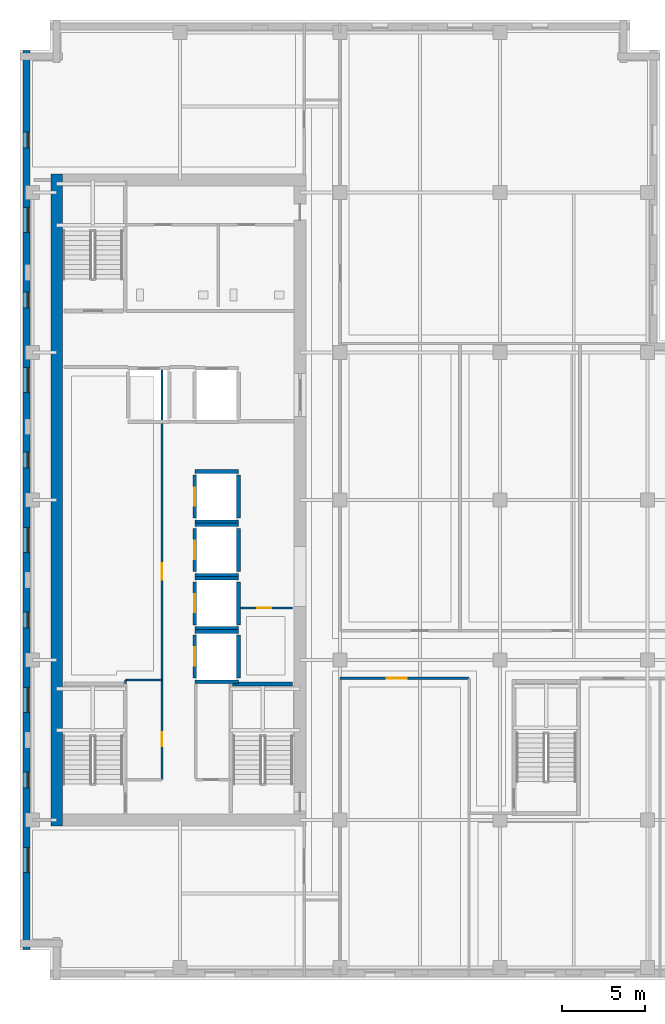
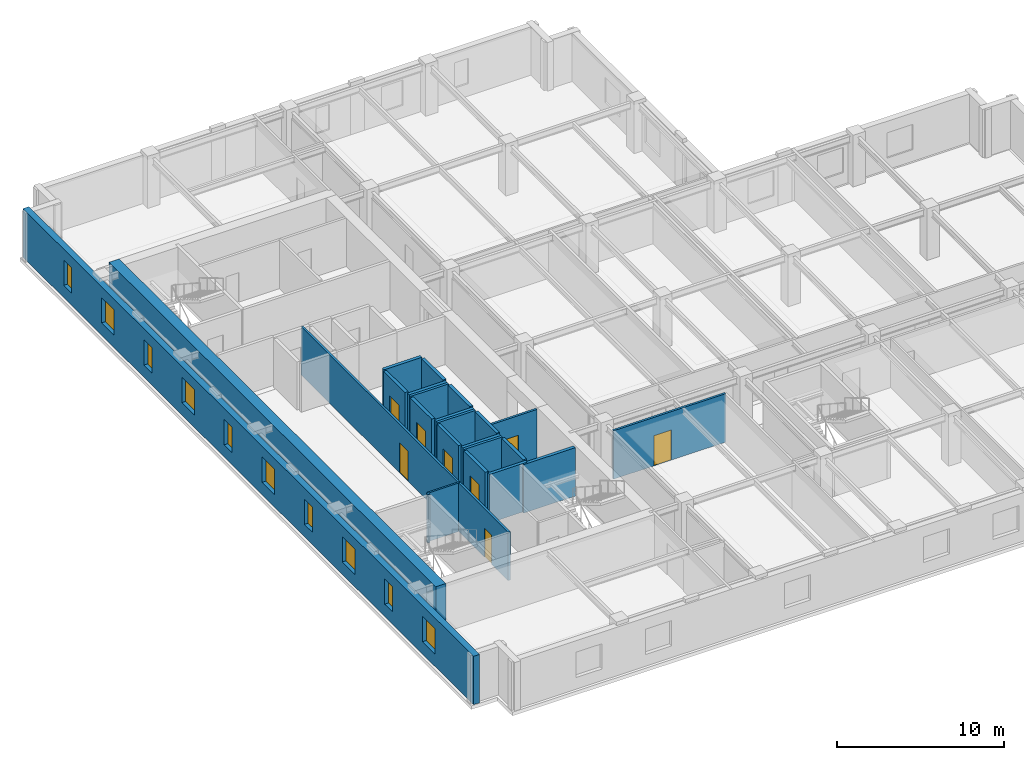
# One storey, part 4 of 11: 24 walls, 10 windows, 8 doors, 18 openings.
"""IFC4 building model written with IfcOpenShell, lengths in metres."""

from ifc_helpers import new_model, si_unit, direction, frame, frame_2d, origin, place, context, subcontext, project, spatial, rectangle, extrude, material, layer, layer_set, type_object, element, fill, save


model = new_model("IFC4")

# Units and contexts
model_context = context("Model", 3, precision=1e-05, world=origin(), true_north=direction((0.0, 1.0)))
body_context = subcontext(model_context, "Body", "Model", "MODEL_VIEW")
ifc_project = project(units=[si_unit("LENGTHUNIT", "METRE"), si_unit("AREAUNIT", "SQUARE_METRE"), si_unit("VOLUMEUNIT", "CUBIC_METRE"), si_unit("PLANEANGLEUNIT", "RADIAN"), si_unit("MASSUNIT", "GRAM", prefix="KILO")], contexts=[model_context])

# Site, building, storey
site_placement = place(None, origin())
site = spatial("IfcSite", under=ifc_project, at=site_placement, CompositionType="ELEMENT")
building_placement = place(site_placement, origin())
building = spatial("IfcBuilding", under=site, at=building_placement, Name="Norrvale University Quadrangle", CompositionType="ELEMENT")
storey_placement = place(building_placement, frame((0.0, 0.0, 202.800048828125)))
storey = spatial("IfcBuildingStorey", under=building, at=storey_placement, Name="L51", CompositionType="ELEMENT", Elevation=202.800048828125)

# Wall, openings, windows
ifc_material_1 = material(Name="Buff Norman Clay Brick Masonry", Category="masonry")
ifc_layer_1 = layer(ifc_material_1, 0.419921875, Name="Buff Norman Clay Brick Masonry")
ifc_layer_set_1 = layer_set([ifc_layer_1], Name="Buff Norman Clay Brick Masonry")
wall_type_1 = type_object("IfcWallType", Name="Wall Buff Brick 420", PredefinedType="SOLIDWALL", material=ifc_layer_set_1)
wall_1_placement = place(storey_placement, frame((0.389892578125, 55.760009765625, 0.0), z_axis=(0.0, 0.0, 1.0), x_axis=(0.0, -1.0, 0.0)))
wall_1 = element("IfcWall", 1, at=wall_1_placement, inside=storey, type_object=wall_type_1, Name="Exterior Brick Facade Wall L51-14.1", PredefinedType="SOLIDWALL", context=body_context, shape_type="SweptSolid", body=[
    extrude(rectangle(XDim=53.919921875, YDim=0.419921875, at=frame_2d((26.9599609375, 0.0))), origin(), (0.0, 0.0, 1.0), 3.5400390625),
])
opening_1_placement = place(wall_1_placement, frame((4.885009765625, 0.0, 0.89990234375)))
opening_1 = element("IfcOpeningElement", 2, at=opening_1_placement, cuts=wall_1, Name="Opening W04", PredefinedType="OPENING", context=body_context, shape_type="SweptSolid", body=[
    extrude(rectangle(XDim=0.949951171875, YDim=1.85009765625, at=frame_2d((0.47509765625, 0.925048828125))), frame((0.0, 0.221923828125, 0.0), z_axis=(0.0, -1.0, 0.0), x_axis=(1.0, 0.0, 0.0)), (0.0, 0.0, 1.0), 0.44384765625),
])
opening_2_placement = place(wall_1_placement, frame((9.409912109375, 0.0, 0.89990234375)))
opening_2 = element("IfcOpeningElement", 3, at=opening_2_placement, cuts=wall_1, Name="Opening W03", PredefinedType="OPENING", context=body_context, shape_type="SweptSolid", body=[
    extrude(rectangle(XDim=1.5, YDim=1.85009765625, at=frame_2d((0.75, 0.925048828125))), frame((0.0, 0.221923828125, 0.0), z_axis=(0.0, -1.0, 0.0), x_axis=(1.0, 0.0, 0.0)), (0.0, 0.0, 1.0), 0.44384765625),
])
opening_3_placement = place(wall_1_placement, frame((14.485107421875, 0.0, 0.89990234375)))
opening_3 = element("IfcOpeningElement", 4, at=opening_3_placement, cuts=wall_1, Name="Opening W04", PredefinedType="OPENING", context=body_context, shape_type="SweptSolid", body=[
    extrude(rectangle(XDim=0.949951171875, YDim=1.85009765625, at=frame_2d((0.47509765625, 0.925048828125))), frame((0.0, 0.221923828125, 0.0), z_axis=(0.0, -1.0, 0.0), x_axis=(1.0, 0.0, 0.0)), (0.0, 0.0, 1.0), 0.44384765625),
])
opening_4_placement = place(wall_1_placement, frame((19.010009765625, 0.0, 0.89990234375)))
opening_4 = element("IfcOpeningElement", 5, at=opening_4_placement, cuts=wall_1, Name="Opening W03", PredefinedType="OPENING", context=body_context, shape_type="SweptSolid", body=[
    extrude(rectangle(XDim=1.5, YDim=1.85009765625, at=frame_2d((0.75, 0.925048828125))), frame((0.0, 0.221923828125, 0.0), z_axis=(0.0, -1.0, 0.0), x_axis=(1.0, 0.0, 0.0)), (0.0, 0.0, 1.0), 0.44384765625),
])
opening_5_placement = place(wall_1_placement, frame((24.0849609375, 0.0, 0.89990234375)))
opening_5 = element("IfcOpeningElement", 6, at=opening_5_placement, cuts=wall_1, Name="Opening W04", PredefinedType="OPENING", context=body_context, shape_type="SweptSolid", body=[
    extrude(rectangle(XDim=0.949951171875, YDim=1.85009765625, at=frame_2d((0.47509765625, 0.925048828125))), frame((0.0, 0.221923828125, 0.0), z_axis=(0.0, -1.0, 0.0), x_axis=(1.0, 0.0, 0.0)), (0.0, 0.0, 1.0), 0.44384765625),
])
opening_6_placement = place(wall_1_placement, frame((28.610107421875, 0.0, 0.89990234375)))
opening_6 = element("IfcOpeningElement", 7, at=opening_6_placement, cuts=wall_1, Name="Opening W03", PredefinedType="OPENING", context=body_context, shape_type="SweptSolid", body=[
    extrude(rectangle(XDim=1.5, YDim=1.85009765625, at=frame_2d((0.75, 0.925048828125))), frame((0.0, 0.221923828125, 0.0), z_axis=(0.0, -1.0, 0.0), x_axis=(1.0, 0.0, 0.0)), (0.0, 0.0, 1.0), 0.44384765625),
])
opening_7_placement = place(wall_1_placement, frame((33.68505859375, 0.0, 0.89990234375)))
opening_7 = element("IfcOpeningElement", 8, at=opening_7_placement, cuts=wall_1, Name="Opening W04", PredefinedType="OPENING", context=body_context, shape_type="SweptSolid", body=[
    extrude(rectangle(XDim=0.949951171875, YDim=1.85009765625, at=frame_2d((0.47509765625, 0.925048828125))), frame((0.0, 0.221923828125, 0.0), z_axis=(0.0, -1.0, 0.0), x_axis=(1.0, 0.0, 0.0)), (0.0, 0.0, 1.0), 0.44384765625),
])
opening_8_placement = place(wall_1_placement, frame((38.2099609375, 0.0, 0.89990234375)))
opening_8 = element("IfcOpeningElement", 9, at=opening_8_placement, cuts=wall_1, Name="Opening W03", PredefinedType="OPENING", context=body_context, shape_type="SweptSolid", body=[
    extrude(rectangle(XDim=1.5, YDim=1.85009765625, at=frame_2d((0.75, 0.925048828125))), frame((0.0, 0.221923828125, 0.0), z_axis=(0.0, -1.0, 0.0), x_axis=(1.0, 0.0, 0.0)), (0.0, 0.0, 1.0), 0.44384765625),
])
opening_9_placement = place(wall_1_placement, frame((43.284912109375, 0.0, 0.89990234375)))
opening_9 = element("IfcOpeningElement", 10, at=opening_9_placement, cuts=wall_1, Name="Opening W04", PredefinedType="OPENING", context=body_context, shape_type="SweptSolid", body=[
    extrude(rectangle(XDim=0.949951171875, YDim=1.85009765625, at=frame_2d((0.47509765625, 0.925048828125))), frame((0.0, 0.221923828125, 0.0), z_axis=(0.0, -1.0, 0.0), x_axis=(1.0, 0.0, 0.0)), (0.0, 0.0, 1.0), 0.44384765625),
])
opening_10_placement = place(wall_1_placement, frame((47.81005859375, 0.0, 0.89990234375)))
opening_10 = element("IfcOpeningElement", 11, at=opening_10_placement, cuts=wall_1, Name="Opening W03", PredefinedType="OPENING", context=body_context, shape_type="SweptSolid", body=[
    extrude(rectangle(XDim=1.5, YDim=1.85009765625, at=frame_2d((0.75, 0.925048828125))), frame((0.0, 0.221923828125, 0.0), z_axis=(0.0, -1.0, 0.0), x_axis=(1.0, 0.0, 0.0)), (0.0, 0.0, 1.0), 0.44384765625),
])
ifc_material_2 = material(Name="Triple Low-E Argon Glazing", Category="glass")
window_type_1 = type_object("IfcWindowType", Name="Window Narrow Pier 950x2300", PartitioningType="SINGLE_PANEL", PredefinedType="WINDOW", material=ifc_material_2)
window_1_placement = place(opening_1_placement, origin())
window_1 = element("IfcWindow", 12, at=window_1_placement, inside=storey, type_object=window_type_1, Name="Window Narrow Pier 950x2300 WIN-L51-E14-1-01", OverallHeight=1.85009765625, OverallWidth=0.949951171875, PartitioningType="SINGLE_PANEL", PredefinedType="WINDOW", context=body_context, shape_type="SweptSolid", body=[
    extrude(rectangle(XDim=0.949951171875, YDim=1.85009765625, at=frame_2d((0.47509765625, 0.925048828125))), frame((0.0, 0.110107421875, 0.0), z_axis=(0.0, -1.0, 0.0), x_axis=(1.0, 0.0, 0.0)), (0.0, 0.0, 1.0), 0.06005859375),
])
fill(opening_1, window_1)
window_2_placement = place(opening_3_placement, origin())
window_2 = element("IfcWindow", 13, at=window_2_placement, inside=storey, type_object=window_type_1, Name="Window Narrow Pier 950x2300 WIN-L51-E14-1-03", OverallHeight=1.85009765625, OverallWidth=0.949951171875, PartitioningType="SINGLE_PANEL", PredefinedType="WINDOW", context=body_context, shape_type="SweptSolid", body=[
    extrude(rectangle(XDim=0.949951171875, YDim=1.85009765625, at=frame_2d((0.47509765625, 0.925048828125))), frame((0.0, 0.110107421875, 0.0), z_axis=(0.0, -1.0, 0.0), x_axis=(1.0, 0.0, 0.0)), (0.0, 0.0, 1.0), 0.06005859375),
])
fill(opening_3, window_2)
window_3_placement = place(opening_5_placement, origin())
window_3 = element("IfcWindow", 14, at=window_3_placement, inside=storey, type_object=window_type_1, Name="Window Narrow Pier 950x2300 WIN-L51-E14-1-05", OverallHeight=1.85009765625, OverallWidth=0.949951171875, PartitioningType="SINGLE_PANEL", PredefinedType="WINDOW", context=body_context, shape_type="SweptSolid", body=[
    extrude(rectangle(XDim=0.949951171875, YDim=1.85009765625, at=frame_2d((0.47509765625, 0.925048828125))), frame((0.0, 0.110107421875, 0.0), z_axis=(0.0, -1.0, 0.0), x_axis=(1.0, 0.0, 0.0)), (0.0, 0.0, 1.0), 0.06005859375),
])
fill(opening_5, window_3)
window_4_placement = place(opening_7_placement, origin())
window_4 = element("IfcWindow", 15, at=window_4_placement, inside=storey, type_object=window_type_1, Name="Window Narrow Pier 950x2300 WIN-L51-E14-1-07", OverallHeight=1.85009765625, OverallWidth=0.949951171875, PartitioningType="SINGLE_PANEL", PredefinedType="WINDOW", context=body_context, shape_type="SweptSolid", body=[
    extrude(rectangle(XDim=0.949951171875, YDim=1.85009765625, at=frame_2d((0.47509765625, 0.925048828125))), frame((0.0, 0.110107421875, 0.0), z_axis=(0.0, -1.0, 0.0), x_axis=(1.0, 0.0, 0.0)), (0.0, 0.0, 1.0), 0.06005859375),
])
fill(opening_7, window_4)
window_5_placement = place(opening_9_placement, origin())
window_5 = element("IfcWindow", 16, at=window_5_placement, inside=storey, type_object=window_type_1, Name="Window Narrow Pier 950x2300 WIN-L51-E14-1-09", OverallHeight=1.85009765625, OverallWidth=0.949951171875, PartitioningType="SINGLE_PANEL", PredefinedType="WINDOW", context=body_context, shape_type="SweptSolid", body=[
    extrude(rectangle(XDim=0.949951171875, YDim=1.85009765625, at=frame_2d((0.47509765625, 0.925048828125))), frame((0.0, 0.110107421875, 0.0), z_axis=(0.0, -1.0, 0.0), x_axis=(1.0, 0.0, 0.0)), (0.0, 0.0, 1.0), 0.06005859375),
])
fill(opening_9, window_5)
window_type_2 = type_object("IfcWindowType", Name="Window Studio 1500x2300", PartitioningType="DOUBLE_PANEL_VERTICAL", PredefinedType="WINDOW", material=ifc_material_2)
window_6_placement = place(opening_2_placement, origin())
window_6 = element("IfcWindow", 17, at=window_6_placement, inside=storey, type_object=window_type_2, Name="Window Studio 1500x2300 WIN-L51-E14-1-02", OverallHeight=1.85009765625, OverallWidth=1.5, PartitioningType="DOUBLE_PANEL_VERTICAL", PredefinedType="WINDOW", context=body_context, shape_type="SweptSolid", body=[
    extrude(rectangle(XDim=1.5, YDim=1.85009765625, at=frame_2d((0.75, 0.925048828125))), frame((0.0, 0.110107421875, 0.0), z_axis=(0.0, -1.0, 0.0), x_axis=(1.0, 0.0, 0.0)), (0.0, 0.0, 1.0), 0.06005859375),
])
fill(opening_2, window_6)
window_7_placement = place(opening_4_placement, origin())
window_7 = element("IfcWindow", 18, at=window_7_placement, inside=storey, type_object=window_type_2, Name="Window Studio 1500x2300 WIN-L51-E14-1-04", OverallHeight=1.85009765625, OverallWidth=1.5, PartitioningType="DOUBLE_PANEL_VERTICAL", PredefinedType="WINDOW", context=body_context, shape_type="SweptSolid", body=[
    extrude(rectangle(XDim=1.5, YDim=1.85009765625, at=frame_2d((0.75, 0.925048828125))), frame((0.0, 0.110107421875, 0.0), z_axis=(0.0, -1.0, 0.0), x_axis=(1.0, 0.0, 0.0)), (0.0, 0.0, 1.0), 0.06005859375),
])
fill(opening_4, window_7)
window_8_placement = place(opening_6_placement, origin())
window_8 = element("IfcWindow", 19, at=window_8_placement, inside=storey, type_object=window_type_2, Name="Window Studio 1500x2300 WIN-L51-E14-1-06", OverallHeight=1.85009765625, OverallWidth=1.5, PartitioningType="DOUBLE_PANEL_VERTICAL", PredefinedType="WINDOW", context=body_context, shape_type="SweptSolid", body=[
    extrude(rectangle(XDim=1.5, YDim=1.85009765625, at=frame_2d((0.75, 0.925048828125))), frame((0.0, 0.110107421875, 0.0), z_axis=(0.0, -1.0, 0.0), x_axis=(1.0, 0.0, 0.0)), (0.0, 0.0, 1.0), 0.06005859375),
])
fill(opening_6, window_8)
window_9_placement = place(opening_8_placement, origin())
window_9 = element("IfcWindow", 20, at=window_9_placement, inside=storey, type_object=window_type_2, Name="Window Studio 1500x2300 WIN-L51-E14-1-08", OverallHeight=1.85009765625, OverallWidth=1.5, PartitioningType="DOUBLE_PANEL_VERTICAL", PredefinedType="WINDOW", context=body_context, shape_type="SweptSolid", body=[
    extrude(rectangle(XDim=1.5, YDim=1.85009765625, at=frame_2d((0.75, 0.925048828125))), frame((0.0, 0.110107421875, 0.0), z_axis=(0.0, -1.0, 0.0), x_axis=(1.0, 0.0, 0.0)), (0.0, 0.0, 1.0), 0.06005859375),
])
fill(opening_8, window_9)
window_10_placement = place(opening_10_placement, origin())
window_10 = element("IfcWindow", 21, at=window_10_placement, inside=storey, type_object=window_type_2, Name="Window Studio 1500x2300 WIN-L51-E14-1-10", OverallHeight=1.85009765625, OverallWidth=1.5, PartitioningType="DOUBLE_PANEL_VERTICAL", PredefinedType="WINDOW", context=body_context, shape_type="SweptSolid", body=[
    extrude(rectangle(XDim=1.5, YDim=1.85009765625, at=frame_2d((0.75, 0.925048828125))), frame((0.0, 0.110107421875, 0.0), z_axis=(0.0, -1.0, 0.0), x_axis=(1.0, 0.0, 0.0)), (0.0, 0.0, 1.0), 0.06005859375),
])
fill(opening_10, window_10)

# Walls
ifc_material_3 = material(Name="Concrete C60/75", Category="concrete")
ifc_layer_2 = layer(ifc_material_3, 0.699951171875, Name="Concrete C60/75")
ifc_layer_set_2 = layer_set([ifc_layer_2], Name="Concrete C60/75")
wall_type_2 = type_object("IfcWallType", Name="Wall Core 700", PredefinedType="SHEAR", material=ifc_layer_set_2)
wall_2_placement = place(storey_placement, frame((2.199951171875, 9.25, 0.0), z_axis=(0.0, 0.0, 1.0), x_axis=(0.0, 1.0, 0.0)))
element("IfcWall", 22, at=wall_2_placement, inside=storey, type_object=wall_type_2, Name="Tower Core Shear Wall L51-W", PredefinedType="SHEAR", context=body_context, shape_type="SweptSolid", body=[
    extrude(rectangle(XDim=39.10009765625, YDim=0.699951171875, at=frame_2d((19.550048828125, 0.0))), origin(), (0.0, 0.0, 1.0), 3.5400390625),
])
ifc_material_4 = material(Name="Standard Academic Gypsum Partition")
ifc_layer_3 = layer(ifc_material_4, 0.125, Name="Standard Academic Gypsum Partition")
ifc_layer_set_3 = layer_set([ifc_layer_3], Name="Standard Academic Gypsum Partition")
wall_type_3 = type_object("IfcWallType", Name="Wall Gypsum Academic 125", PredefinedType="PARTITIONING", material=ifc_layer_set_3)
wall_3_placement = place(storey_placement, frame((6.320068359375, 17.800048828125, 0.0), z_axis=(0.0, 0.0, 1.0), x_axis=(0.0, 1.0, 0.0)))
element("IfcWall", 23, at=wall_3_placement, inside=storey, type_object=wall_type_3, Name="Interior Partition WL-L51-REC-L1", PredefinedType="PARTITIONING", context=body_context, shape_type="SweptSolid", body=[
    extrude(rectangle(XDim=0.199951171875, YDim=0.125, at=frame_2d((0.10009765625, 0.0))), origin(), (0.0, 0.0, 1.0), 3.5400390625),
])
wall_4_placement = place(storey_placement, frame((6.320068359375, 18.0, 0.0), z_axis=(0.0, 0.0, 1.0), x_axis=(1.0, 0.0, 0.0)))
element("IfcWall", 24, at=wall_4_placement, inside=storey, type_object=wall_type_3, Name="Interior Partition WL-L51-REC-L2", PredefinedType="PARTITIONING", context=body_context, shape_type="SweptSolid", body=[
    extrude(rectangle(XDim=2.199951171875, YDim=0.125, at=frame_2d((1.10009765625, 0.0))), origin(), (0.0, 0.0, 1.0), 3.5400390625),
])

# Wall, opening, door
ifc_material_5 = material(Name="Fire-Rated Gypsum Stud Partition")
ifc_layer_4 = layer(ifc_material_5, 0.14990234375, Name="Fire-Rated Gypsum Stud Partition")
ifc_layer_set_4 = layer_set([ifc_layer_4], Name="Fire-Rated Gypsum Stud Partition")
wall_type_4 = type_object("IfcWallType", Name="Wall Gypsum Corridor 150", PredefinedType="PARTITIONING", material=ifc_layer_set_4)
wall_5_placement = place(storey_placement, frame((13.22509765625, 22.320068359375, 0.0), z_axis=(0.0, 0.0, 1.0), x_axis=(1.0, 0.0, 0.0)))
wall_5 = element("IfcWall", 25, at=wall_5_placement, inside=storey, type_object=wall_type_4, Name="Interior Partition WL-L51-JAN-N", PredefinedType="PARTITIONING", context=body_context, shape_type="SweptSolid", body=[
    extrude(rectangle(XDim=3.119873046875, YDim=0.14990234375, at=frame_2d((1.56005859375, 0.0))), origin(), (0.0, 0.0, 1.0), 3.5400390625),
])
opening_11_placement = place(wall_5_placement, frame((1.0, 0.0, 0.0)))
opening_11 = element("IfcOpeningElement", 26, at=opening_11_placement, cuts=wall_5, Name="Opening D10", PredefinedType="OPENING", context=body_context, shape_type="SweptSolid", body=[
    extrude(rectangle(XDim=0.85009765625, YDim=2.10009765625, at=frame_2d((0.425048828125, 1.050048828125))), frame((0.0, 0.0869140625, 0.0), z_axis=(0.0, -1.0, 0.0), x_axis=(1.0, 0.0, 0.0)), (0.0, 0.0, 1.0), 0.173828125),
])
ifc_material_6 = material(Name="Hollow Steel 350W Riser Fire Door", Category="steel")
door_type_1 = type_object("IfcDoorType", Name="Door Riser 850x2100", OperationType="NOTDEFINED", PredefinedType="DOOR", material=ifc_material_6)
door_1_placement = place(opening_11_placement, origin())
door_1 = element("IfcDoor", 27, at=door_1_placement, inside=storey, type_object=door_type_1, Name="Door Riser 850x2100 DR-L51-JAN", OperationType="SINGLE_SWING_LEFT", OverallHeight=2.10009765625, OverallWidth=0.85009765625, PredefinedType="DOOR", context=body_context, shape_type="SweptSolid", body=[
    extrude(rectangle(XDim=0.85009765625, YDim=2.10009765625, at=frame_2d((0.425048828125, 1.050048828125))), frame((0.0, 0.02490234375, 0.0), z_axis=(0.0, -1.0, 0.0), x_axis=(1.0, 0.0, 0.0)), (0.0, 0.0, 1.0), 0.050048828125),
])
fill(opening_11, door_1)

# Wall, openings, doors
wall_6_placement = place(storey_placement, frame((8.52001953125, 12.02001953125, 0.0), z_axis=(0.0, 0.0, 1.0), x_axis=(0.0, 1.0, 0.0)))
wall_6 = element("IfcWall", 28, at=wall_6_placement, inside=storey, type_object=wall_type_4, Name="Interior Partition WL-L51-REC-E", PredefinedType="PARTITIONING", context=body_context, shape_type="SweptSolid", body=[
    extrude(rectangle(XDim=24.760009765625, YDim=0.14990234375, at=frame_2d((12.3798828125, 0.0))), origin(), (0.0, 0.0, 1.0), 3.5400390625),
])
opening_12_placement = place(wall_6_placement, frame((2.0, 0.0, 0.0)))
opening_12 = element("IfcOpeningElement", 29, at=opening_12_placement, cuts=wall_6, Name="Opening D10", PredefinedType="OPENING", context=body_context, shape_type="SweptSolid", body=[
    extrude(rectangle(XDim=0.85009765625, YDim=2.10009765625, at=frame_2d((0.425048828125, 1.050048828125))), frame((0.0, 0.0869140625, 0.0), z_axis=(0.0, -1.0, 0.0), x_axis=(1.0, 0.0, 0.0)), (0.0, 0.0, 1.0), 0.173828125),
])
opening_13_placement = place(wall_6_placement, frame((12.0, 0.0, 0.0)))
opening_13 = element("IfcOpeningElement", 30, at=opening_13_placement, cuts=wall_6, Name="Opening D04", PredefinedType="OPENING", context=body_context, shape_type="SweptSolid", body=[
    extrude(rectangle(XDim=1.0, YDim=2.199951171875, at=frame_2d((0.5, 1.10009765625))), frame((0.0, 0.0869140625, 0.0), z_axis=(0.0, -1.0, 0.0), x_axis=(1.0, 0.0, 0.0)), (0.0, 0.0, 1.0), 0.173828125),
])
ifc_material_7 = material(Name="Solid-Core Oak Fire Door", Category="wood")
door_type_2 = type_object("IfcDoorType", Name="Door Corridor 1000x2200", OperationType="NOTDEFINED", PredefinedType="DOOR", material=ifc_material_7)
door_2_placement = place(opening_13_placement, origin())
door_2 = element("IfcDoor", 31, at=door_2_placement, inside=storey, type_object=door_type_2, Name="Door Corridor 1000x2200 DR-L51-REC2", OperationType="SINGLE_SWING_RIGHT", OverallHeight=2.199951171875, OverallWidth=1.0, PredefinedType="DOOR", context=body_context, shape_type="SweptSolid", body=[
    extrude(rectangle(XDim=1.0, YDim=2.199951171875, at=frame_2d((0.5, 1.10009765625))), frame((0.0, 0.02490234375, 0.0), z_axis=(0.0, -1.0, 0.0), x_axis=(1.0, 0.0, 0.0)), (0.0, 0.0, 1.0), 0.050048828125),
])
fill(opening_13, door_2)
door_3_placement = place(opening_12_placement, origin())
door_3 = element("IfcDoor", 32, at=door_3_placement, inside=storey, type_object=door_type_1, Name="Door Riser 850x2100 DR-L51-REC1", OperationType="SINGLE_SWING_LEFT", OverallHeight=2.10009765625, OverallWidth=0.85009765625, PredefinedType="DOOR", context=body_context, shape_type="SweptSolid", body=[
    extrude(rectangle(XDim=0.85009765625, YDim=2.10009765625, at=frame_2d((0.425048828125, 1.050048828125))), frame((0.0, 0.02490234375, 0.0), z_axis=(0.0, -1.0, 0.0), x_axis=(1.0, 0.0, 0.0)), (0.0, 0.0, 1.0), 0.050048828125),
])
fill(opening_12, door_3)

# Wall, opening, door
wall_7_placement = place(storey_placement, frame((19.199951171875, 18.10009765625, 0.0), z_axis=(0.0, 0.0, 1.0), x_axis=(1.0, 0.0, 0.0)))
wall_7 = element("IfcWall", 33, at=wall_7_placement, inside=storey, type_object=wall_type_4, Name="Interior Partition WL-L51-SEW1", PredefinedType="PARTITIONING", context=body_context, shape_type="SweptSolid", body=[
    extrude(rectangle(XDim=7.75, YDim=0.14990234375, at=frame_2d((3.875, 0.0))), origin(), (0.0, 0.0, 1.0), 3.5400390625),
])
opening_14_placement = place(wall_7_placement, frame((2.800048828125, 0.0, 0.0)))
opening_14 = element("IfcOpeningElement", 34, at=opening_14_placement, cuts=wall_7, Name="Opening D05", PredefinedType="OPENING", context=body_context, shape_type="SweptSolid", body=[
    extrude(rectangle(XDim=1.199951171875, YDim=2.199951171875, at=frame_2d((0.60009765625, 1.10009765625))), frame((0.0, 0.0869140625, 0.0), z_axis=(0.0, -1.0, 0.0), x_axis=(1.0, 0.0, 0.0)), (0.0, 0.0, 1.0), 0.173828125),
])
ifc_material_8 = material(Name="Acoustic Oak Classroom Door", Category="wood")
door_type_3 = type_object("IfcDoorType", Name="Door Classroom 1200x2200", OperationType="NOTDEFINED", PredefinedType="DOOR", material=ifc_material_8)
door_4_placement = place(opening_14_placement, origin())
door_4 = element("IfcDoor", 35, at=door_4_placement, inside=storey, type_object=door_type_3, Name="Door Classroom 1200x2200 DR-L51-SE1", OperationType="SINGLE_SWING_LEFT", OverallHeight=2.199951171875, OverallWidth=1.199951171875, PredefinedType="DOOR", context=body_context, shape_type="SweptSolid", body=[
    extrude(rectangle(XDim=1.199951171875, YDim=2.199951171875, at=frame_2d((0.60009765625, 1.10009765625))), frame((0.0, 0.02490234375, 0.0), z_axis=(0.0, -1.0, 0.0), x_axis=(1.0, 0.0, 0.0)), (0.0, 0.0, 1.0), 0.050048828125),
])
fill(opening_14, door_4)

# Wall
ifc_material_9 = material(Name="Concrete Blockwork 20 MPa Fire Shaft", Category="masonry")
ifc_layer_5 = layer(ifc_material_9, 0.219970703125, Name="Concrete Blockwork 20 MPa Fire Shaft")
ifc_layer_set_5 = layer_set([ifc_layer_5], Name="Concrete Blockwork 20 MPa Fire Shaft")
wall_type_5 = type_object("IfcWallType", Name="Wall Shaft 220", PredefinedType="SOLIDWALL", material=ifc_layer_set_5)
wall_8_placement = place(storey_placement, frame((12.75, 17.760009765625, 0.0), z_axis=(0.0, 0.0, 1.0), x_axis=(1.0, 0.0, 0.0)))
element("IfcWall", 36, at=wall_8_placement, inside=storey, type_object=wall_type_5, Name="Stair ST-03 North Shaft Wall L51", PredefinedType="SOLIDWALL", context=body_context, shape_type="SweptSolid", body=[
    extrude(rectangle(XDim=3.60009765625, YDim=0.219970703125, at=frame_2d((1.800048828125, 0.0))), origin(), (0.0, 0.0, 1.0), 3.5400390625),
])

# Wall, opening, door
wall_9_placement = place(storey_placement, frame((10.489990234375, 18.110107421875, 0.0), z_axis=(0.0, 0.0, 1.0), x_axis=(0.0, 1.0, 0.0)))
wall_9 = element("IfcWall", 37, at=wall_9_placement, inside=storey, type_object=wall_type_5, Name="Hoistway PL-05 West Wall L51", PredefinedType="SOLIDWALL", context=body_context, shape_type="SweptSolid", body=[
    extrude(rectangle(XDim=2.579833984375, YDim=0.219970703125, at=frame_2d((1.2900390625, 0.0))), origin(), (0.0, 0.0, 1.0), 3.5400390625),
])
opening_15_placement = place(wall_9_placement, frame((0.739990234375, 0.0, 0.0)))
opening_15 = element("IfcOpeningElement", 38, at=opening_15_placement, cuts=wall_9, Name="Opening LD1", PredefinedType="OPENING", context=body_context, shape_type="SweptSolid", body=[
    extrude(rectangle(XDim=1.10009765625, YDim=2.199951171875, at=frame_2d((0.550048828125, 1.10009765625))), frame((0.0, 0.1220703125, 0.0), z_axis=(0.0, -1.0, 0.0), x_axis=(1.0, 0.0, 0.0)), (0.0, 0.0, 1.0), 0.243896484375),
])
ifc_material_10 = material(Name="Stainless Steel 316L Lift Landing Door", Category="steel")
door_type_4 = type_object("IfcDoorType", Name="Door Lift Landing 1100x2200", OperationType="DOUBLE_DOOR_SLIDING", PredefinedType="DOOR", material=ifc_material_10)
door_5_placement = place(opening_15_placement, origin())
door_5 = element("IfcDoor", 39, at=door_5_placement, inside=storey, type_object=door_type_4, Name="Elevator Landing Door DR-L51-PL-05", OperationType="DOUBLE_DOOR_SLIDING", OverallHeight=2.199951171875, OverallWidth=1.10009765625, PredefinedType="DOOR", context=body_context, shape_type="SweptSolid", body=[
    extrude(rectangle(XDim=1.10009765625, YDim=2.199951171875, at=frame_2d((0.550048828125, 1.10009765625))), frame((0.0, 0.02490234375, 0.0), z_axis=(0.0, -1.0, 0.0), x_axis=(1.0, 0.0, 0.0)), (0.0, 0.0, 1.0), 0.050048828125),
])
fill(opening_15, door_5)

# Walls
wall_10_placement = place(storey_placement, frame((13.110107421875, 18.110107421875, 0.0), z_axis=(0.0, 0.0, 1.0), x_axis=(0.0, 1.0, 0.0)))
element("IfcWall", 40, at=wall_10_placement, inside=storey, type_object=wall_type_5, Name="Hoistway PL-05 East Wall L51", PredefinedType="SOLIDWALL", context=body_context, shape_type="SweptSolid", body=[
    extrude(rectangle(XDim=2.579833984375, YDim=0.219970703125, at=frame_2d((1.2900390625, 0.0))), origin(), (0.0, 0.0, 1.0), 3.5400390625),
])
for number, where, z_axis, x_axis, name in (
    (41, (10.489990234375, 17.889892578125, 0.0), (0.0, 0.0, 1.0), (1.0, 0.0, 0.0), "Hoistway PL-05 South Wall L51"),
    (42, (10.489990234375, 20.909912109375, 0.0), (0.0, 0.0, 1.0), (1.0, 0.0, 0.0), "Hoistway PL-05 North Wall L51"),
):
    element("IfcWall", number, at=place(storey_placement, frame(where, z_axis=z_axis, x_axis=x_axis)), inside=storey, type_object=wall_type_5, Name=name, PredefinedType="SOLIDWALL", context=body_context, shape_type="SweptSolid", body=[
        extrude(rectangle(XDim=2.6201171875, YDim=0.219970703125, at=frame_2d((1.31005859375, 0.0))), origin(), (0.0, 0.0, 1.0), 3.5400390625),
    ])

# Wall, opening, door
wall_11_placement = place(storey_placement, frame((10.489990234375, 21.31005859375, 0.0), z_axis=(0.0, 0.0, 1.0), x_axis=(0.0, 1.0, 0.0)))
wall_11 = element("IfcWall", 43, at=wall_11_placement, inside=storey, type_object=wall_type_5, Name="Hoistway PL-06 West Wall L51", PredefinedType="SOLIDWALL", context=body_context, shape_type="SweptSolid", body=[
    extrude(rectangle(XDim=2.579833984375, YDim=0.219970703125, at=frame_2d((1.2900390625, 0.0))), origin(), (0.0, 0.0, 1.0), 3.5400390625),
])
opening_16_placement = place(wall_11_placement, frame((0.739990234375, 0.0, 0.0)))
opening_16 = element("IfcOpeningElement", 44, at=opening_16_placement, cuts=wall_11, Name="Opening LD1", PredefinedType="OPENING", context=body_context, shape_type="SweptSolid", body=[
    extrude(rectangle(XDim=1.10009765625, YDim=2.199951171875, at=frame_2d((0.550048828125, 1.10009765625))), frame((0.0, 0.1220703125, 0.0), z_axis=(0.0, -1.0, 0.0), x_axis=(1.0, 0.0, 0.0)), (0.0, 0.0, 1.0), 0.243896484375),
])
door_6_placement = place(opening_16_placement, origin())
door_6 = element("IfcDoor", 45, at=door_6_placement, inside=storey, type_object=door_type_4, Name="Elevator Landing Door DR-L51-PL-06", OperationType="DOUBLE_DOOR_SLIDING", OverallHeight=2.199951171875, OverallWidth=1.10009765625, PredefinedType="DOOR", context=body_context, shape_type="SweptSolid", body=[
    extrude(rectangle(XDim=1.10009765625, YDim=2.199951171875, at=frame_2d((0.550048828125, 1.10009765625))), frame((0.0, 0.02490234375, 0.0), z_axis=(0.0, -1.0, 0.0), x_axis=(1.0, 0.0, 0.0)), (0.0, 0.0, 1.0), 0.050048828125),
])
fill(opening_16, door_6)

# Walls
wall_12_placement = place(storey_placement, frame((13.110107421875, 21.31005859375, 0.0), z_axis=(0.0, 0.0, 1.0), x_axis=(0.0, 1.0, 0.0)))
element("IfcWall", 46, at=wall_12_placement, inside=storey, type_object=wall_type_5, Name="Hoistway PL-06 East Wall L51", PredefinedType="SOLIDWALL", context=body_context, shape_type="SweptSolid", body=[
    extrude(rectangle(XDim=2.579833984375, YDim=0.219970703125, at=frame_2d((1.2900390625, 0.0))), origin(), (0.0, 0.0, 1.0), 3.5400390625),
])
for number, where, z_axis, x_axis, name in (
    (47, (10.489990234375, 21.090087890625, 0.0), (0.0, 0.0, 1.0), (1.0, 0.0, 0.0), "Hoistway PL-06 South Wall L51"),
    (48, (10.489990234375, 24.110107421875, 0.0), (0.0, 0.0, 1.0), (1.0, 0.0, 0.0), "Hoistway PL-06 North Wall L51"),
):
    element("IfcWall", number, at=place(storey_placement, frame(where, z_axis=z_axis, x_axis=x_axis)), inside=storey, type_object=wall_type_5, Name=name, PredefinedType="SOLIDWALL", context=body_context, shape_type="SweptSolid", body=[
        extrude(rectangle(XDim=2.6201171875, YDim=0.219970703125, at=frame_2d((1.31005859375, 0.0))), origin(), (0.0, 0.0, 1.0), 3.5400390625),
    ])

# Wall, opening, door
wall_13_placement = place(storey_placement, frame((10.489990234375, 24.510009765625, 0.0), z_axis=(0.0, 0.0, 1.0), x_axis=(0.0, 1.0, 0.0)))
wall_13 = element("IfcWall", 49, at=wall_13_placement, inside=storey, type_object=wall_type_5, Name="Hoistway PL-07 West Wall L51", PredefinedType="SOLIDWALL", context=body_context, shape_type="SweptSolid", body=[
    extrude(rectangle(XDim=2.580078125, YDim=0.219970703125, at=frame_2d((1.2900390625, 0.0))), origin(), (0.0, 0.0, 1.0), 3.5400390625),
])
opening_17_placement = place(wall_13_placement, frame((0.739990234375, 0.0, 0.0)))
opening_17 = element("IfcOpeningElement", 50, at=opening_17_placement, cuts=wall_13, Name="Opening LD1", PredefinedType="OPENING", context=body_context, shape_type="SweptSolid", body=[
    extrude(rectangle(XDim=1.10009765625, YDim=2.199951171875, at=frame_2d((0.550048828125, 1.10009765625))), frame((0.0, 0.1220703125, 0.0), z_axis=(0.0, -1.0, 0.0), x_axis=(1.0, 0.0, 0.0)), (0.0, 0.0, 1.0), 0.243896484375),
])
door_7_placement = place(opening_17_placement, origin())
door_7 = element("IfcDoor", 51, at=door_7_placement, inside=storey, type_object=door_type_4, Name="Elevator Landing Door DR-L51-PL-07", OperationType="DOUBLE_DOOR_SLIDING", OverallHeight=2.199951171875, OverallWidth=1.10009765625, PredefinedType="DOOR", context=body_context, shape_type="SweptSolid", body=[
    extrude(rectangle(XDim=1.10009765625, YDim=2.199951171875, at=frame_2d((0.550048828125, 1.10009765625))), frame((0.0, 0.02490234375, 0.0), z_axis=(0.0, -1.0, 0.0), x_axis=(1.0, 0.0, 0.0)), (0.0, 0.0, 1.0), 0.050048828125),
])
fill(opening_17, door_7)

# Walls
wall_14_placement = place(storey_placement, frame((13.110107421875, 24.510009765625, 0.0), z_axis=(0.0, 0.0, 1.0), x_axis=(0.0, 1.0, 0.0)))
element("IfcWall", 52, at=wall_14_placement, inside=storey, type_object=wall_type_5, Name="Hoistway PL-07 East Wall L51", PredefinedType="SOLIDWALL", context=body_context, shape_type="SweptSolid", body=[
    extrude(rectangle(XDim=2.580078125, YDim=0.219970703125, at=frame_2d((1.2900390625, 0.0))), origin(), (0.0, 0.0, 1.0), 3.5400390625),
])
for number, where, z_axis, x_axis, name in (
    (53, (10.489990234375, 24.2900390625, 0.0), (0.0, 0.0, 1.0), (1.0, 0.0, 0.0), "Hoistway PL-07 South Wall L51"),
    (54, (10.489990234375, 27.31005859375, 0.0), (0.0, 0.0, 1.0), (1.0, 0.0, 0.0), "Hoistway PL-07 North Wall L51"),
):
    element("IfcWall", number, at=place(storey_placement, frame(where, z_axis=z_axis, x_axis=x_axis)), inside=storey, type_object=wall_type_5, Name=name, PredefinedType="SOLIDWALL", context=body_context, shape_type="SweptSolid", body=[
        extrude(rectangle(XDim=2.6201171875, YDim=0.219970703125, at=frame_2d((1.31005859375, 0.0))), origin(), (0.0, 0.0, 1.0), 3.5400390625),
    ])

# Wall, opening, door
wall_15_placement = place(storey_placement, frame((10.489990234375, 27.7099609375, 0.0), z_axis=(0.0, 0.0, 1.0), x_axis=(0.0, 1.0, 0.0)))
wall_15 = element("IfcWall", 55, at=wall_15_placement, inside=storey, type_object=wall_type_5, Name="Hoistway PL-08 West Wall L51", PredefinedType="SOLIDWALL", context=body_context, shape_type="SweptSolid", body=[
    extrude(rectangle(XDim=2.580078125, YDim=0.219970703125, at=frame_2d((1.2900390625, 0.0))), origin(), (0.0, 0.0, 1.0), 3.5400390625),
])
opening_18_placement = place(wall_15_placement, frame((0.739990234375, 0.0, 0.0)))
opening_18 = element("IfcOpeningElement", 56, at=opening_18_placement, cuts=wall_15, Name="Opening LD1", PredefinedType="OPENING", context=body_context, shape_type="SweptSolid", body=[
    extrude(rectangle(XDim=1.10009765625, YDim=2.199951171875, at=frame_2d((0.550048828125, 1.10009765625))), frame((0.0, 0.1220703125, 0.0), z_axis=(0.0, -1.0, 0.0), x_axis=(1.0, 0.0, 0.0)), (0.0, 0.0, 1.0), 0.243896484375),
])
door_8_placement = place(opening_18_placement, origin())
door_8 = element("IfcDoor", 57, at=door_8_placement, inside=storey, type_object=door_type_4, Name="Elevator Landing Door DR-L51-PL-08", OperationType="DOUBLE_DOOR_SLIDING", OverallHeight=2.199951171875, OverallWidth=1.10009765625, PredefinedType="DOOR", context=body_context, shape_type="SweptSolid", body=[
    extrude(rectangle(XDim=1.10009765625, YDim=2.199951171875, at=frame_2d((0.550048828125, 1.10009765625))), frame((0.0, 0.02490234375, 0.0), z_axis=(0.0, -1.0, 0.0), x_axis=(1.0, 0.0, 0.0)), (0.0, 0.0, 1.0), 0.050048828125),
])
fill(opening_18, door_8)

# Walls
wall_16_placement = place(storey_placement, frame((13.110107421875, 27.7099609375, 0.0), z_axis=(0.0, 0.0, 1.0), x_axis=(0.0, 1.0, 0.0)))
element("IfcWall", 58, at=wall_16_placement, inside=storey, type_object=wall_type_5, Name="Hoistway PL-08 East Wall L51", PredefinedType="SOLIDWALL", context=body_context, shape_type="SweptSolid", body=[
    extrude(rectangle(XDim=2.580078125, YDim=0.219970703125, at=frame_2d((1.2900390625, 0.0))), origin(), (0.0, 0.0, 1.0), 3.5400390625),
])
for number, where, z_axis, x_axis, name in (
    (59, (10.489990234375, 27.489990234375, 0.0), (0.0, 0.0, 1.0), (1.0, 0.0, 0.0), "Hoistway PL-08 South Wall L51"),
    (60, (10.489990234375, 30.510009765625, 0.0), (0.0, 0.0, 1.0), (1.0, 0.0, 0.0), "Hoistway PL-08 North Wall L51"),
):
    element("IfcWall", number, at=place(storey_placement, frame(where, z_axis=z_axis, x_axis=x_axis)), inside=storey, type_object=wall_type_5, Name=name, PredefinedType="SOLIDWALL", context=body_context, shape_type="SweptSolid", body=[
        extrude(rectangle(XDim=2.6201171875, YDim=0.219970703125, at=frame_2d((1.31005859375, 0.0))), origin(), (0.0, 0.0, 1.0), 3.5400390625),
    ])

save(model, "model.ifc")
